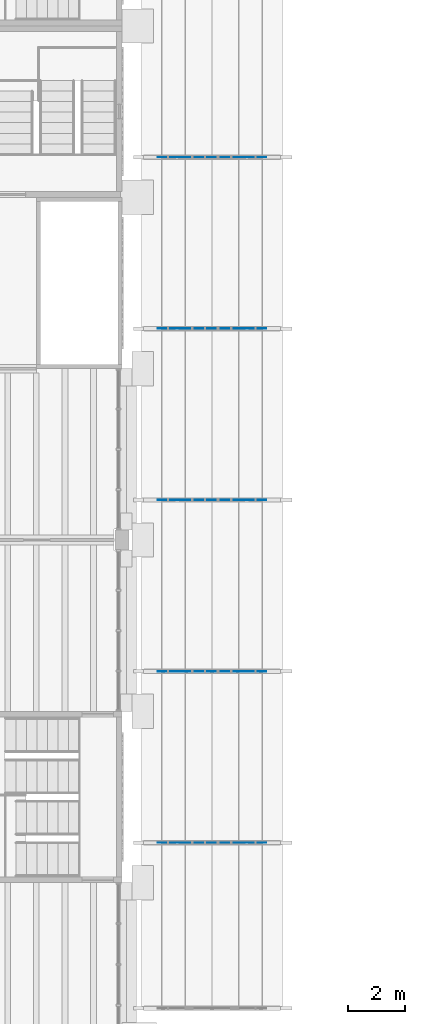
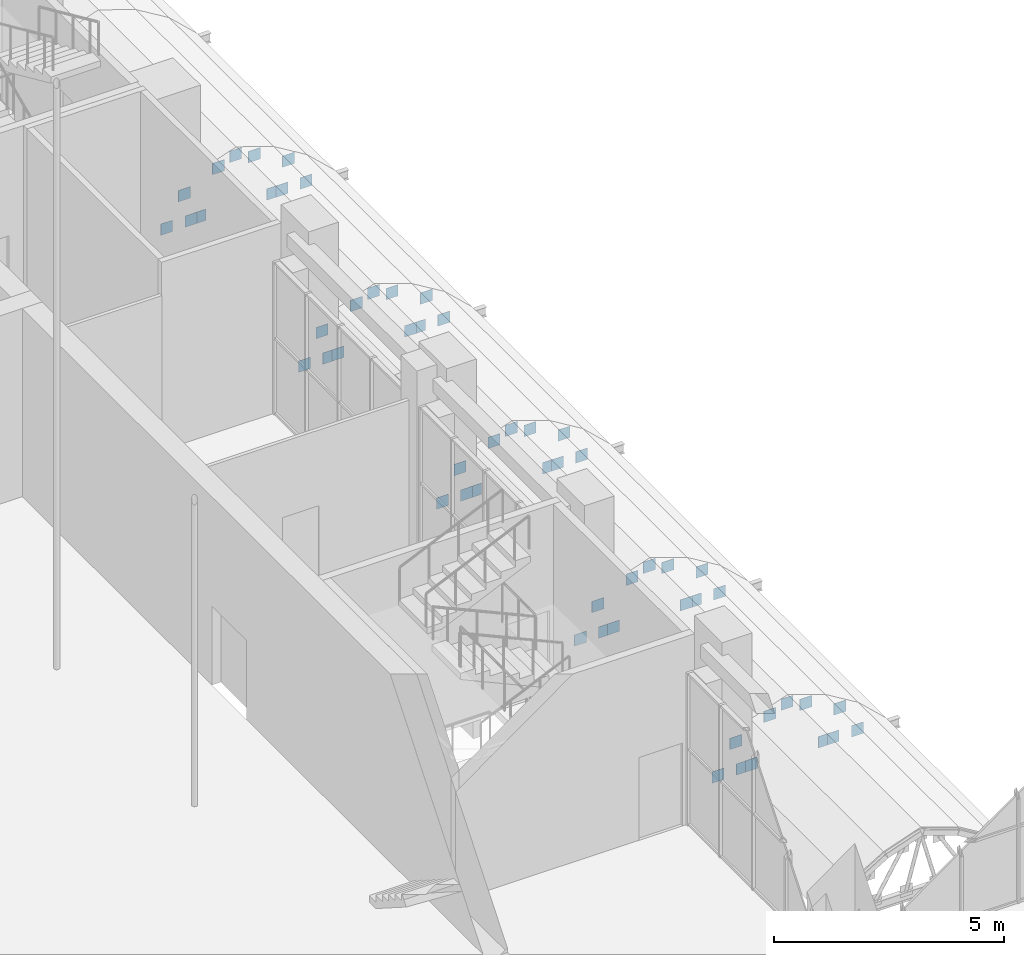
# One storey, part 52 of 80: 55 discrete accessories.
"""IFC4 building model written with IfcOpenShell, lengths in metres."""

import ifcopenshell
import ifcopenshell.guid

model = None  # the IFC model being written
_history = None  # IfcOwnerHistory: only IFC2X3 demands one
_inside = {}  # id of a spatial element -> (the spatial element, [elements in it])
_under = {}  # id of a project, library or spatial element -> (it, [spatial elements below it])
_declared = {}  # id of a project -> (the project, [libraries it declares])
_typed = {}  # id of a type object -> (the type object, [elements of that type])
_made_of = {}  # id of a material, layer set ... -> (it, [elements and type objects made of it])


def new_model(schema):
    """Start an empty IFC model of exactly this schema.

    Asked for "IFC4X3", IfcOpenShell would pick the latest addendum, in which some entities
    have other attributes; the version numbers below select the first issue.
    IFC2X3 requires an IfcOwnerHistory on every rooted entity: one is made here for all.
    """
    global model, _history
    if schema == "IFC4X3":
        model = ifcopenshell.file(schema_version=(4, 3, 0, 0))
    else:
        model = ifcopenshell.file(schema=schema)
    _inside.clear()
    _under.clear()
    _declared.clear()
    _typed.clear()
    _made_of.clear()
    _history = None
    if model.schema == "IFC2X3":
        org = make("IfcOrganization", Name="unknown")
        user = make(
            "IfcPersonAndOrganization",
            ThePerson=make("IfcPerson", FamilyName="unknown"),
            TheOrganization=org,
        )
        app = make(
            "IfcApplication",
            ApplicationDeveloper=org,
            Version="unknown",
            ApplicationFullName="unknown",
            ApplicationIdentifier="unknown",
        )
        _history = make(
            "IfcOwnerHistory",
            OwningUser=user,
            OwningApplication=app,
            ChangeAction="ADDED",
            CreationDate=0,
        )
    return model


def make(cls, **values):
    """One entity of the class cls with the attributes given. An attribute that is None is left unset."""
    return model.create_entity(
        cls, **{name: value for name, value in values.items() if value is not None}
    )


def rooted(cls, **values):
    """An entity with a GlobalId (a new one), such as an element, a storey or a relation."""
    return make(cls, GlobalId=ifcopenshell.guid.new(), OwnerHistory=_history, **values)


def si_unit(unit_type, name, prefix=None):
    """IfcSIUnit, for example si_unit("LENGTHUNIT", "METRE", prefix="MILLI")."""
    return make("IfcSIUnit", UnitType=unit_type, Prefix=prefix, Name=name)


def assignment(units):
    """IfcUnitAssignment: the units of a project."""
    return None if units is None else make("IfcUnitAssignment", Units=units)


def point(xyz):
    """IfcCartesianPoint."""
    return None if xyz is None else make("IfcCartesianPoint", Coordinates=xyz)


def direction(xyz):
    """IfcDirection."""
    return None if xyz is None else make("IfcDirection", DirectionRatios=xyz)


def frame(location, z_axis=None, x_axis=None):
    """IfcAxis2Placement3D, a coordinate frame: its origin and axes. An axis left out is left unset."""
    return make(
        "IfcAxis2Placement3D",
        Location=point(location),
        Axis=direction(z_axis),
        RefDirection=direction(x_axis),
    )


def frame_2d(location, x_axis=None):
    """IfcAxis2Placement2D, a coordinate frame in the plane: its origin and x axis."""
    return make(
        "IfcAxis2Placement2D", Location=point(location), RefDirection=direction(x_axis)
    )


def origin():
    """The frame at (0, 0, 0) with its axes left unset."""
    return frame((0.0, 0.0, 0.0))


def origin_2d():
    """The frame at (0, 0) in the plane with its x axis left unset."""
    return frame_2d((0.0, 0.0))


def place(relative_to, where):
    """IfcLocalPlacement: puts the frame where relative to a parent placement (None: the world)."""
    return make(
        "IfcLocalPlacement", PlacementRelTo=relative_to, RelativePlacement=where
    )


def context(
    kind, dimensions, precision=None, world=None, true_north=None, identifier=None
):
    """IfcGeometricRepresentationContext, for example the 3D "Model" context."""
    return make(
        "IfcGeometricRepresentationContext",
        ContextIdentifier=identifier,
        ContextType=kind,
        CoordinateSpaceDimension=dimensions,
        Precision=precision,
        WorldCoordinateSystem=world,
        TrueNorth=true_north,
    )


def subcontext(parent, identifier, kind, view, scale=None):
    """IfcGeometricRepresentationSubContext, for example "Body" below "Model"."""
    return make(
        "IfcGeometricRepresentationSubContext",
        ContextIdentifier=identifier,
        ContextType=kind,
        ParentContext=parent,
        TargetScale=scale,
        TargetView=view,
    )


def project(units=None, contexts=None):
    """IfcProject with its units and contexts."""
    return rooted(
        "IfcProject",
        Name="project",
        RepresentationContexts=contexts,
        UnitsInContext=assignment(units),
    )


def spatial(cls, under=None, at=None, **own):
    """A site, building, storey or space (cls), placed at a placement, below another one or the project."""
    s = rooted(cls, ObjectPlacement=at, **own)
    if under is not None:
        _under.setdefault(under.id(), (under, []))[1].append(s)
    return s


def profile(cls, at=None, kind="AREA", **sizes):
    """A parametric profile (cls). Its sizes go by their IFC names, for example OverallWidth=200.0."""
    return make(cls, ProfileType=kind, Position=at, **sizes)


def rectangle(**sizes):
    """IfcRectangleProfileDef."""
    return profile("IfcRectangleProfileDef", **sizes)


def extrude(swept, where, along, depth):
    """IfcExtrudedAreaSolid: the profile swept, set in the frame where, extruded along a direction by depth."""
    return make(
        "IfcExtrudedAreaSolid",
        SweptArea=swept,
        Position=where,
        ExtrudedDirection=direction(along),
        Depth=depth,
    )


def shape(context_of_items, identifier, shape_type, items):
    """IfcShapeRepresentation: the items that make up one representation, for example the "Body"."""
    return make(
        "IfcShapeRepresentation",
        ContextOfItems=context_of_items,
        RepresentationIdentifier=identifier,
        RepresentationType=shape_type,
        Items=items,
    )


def material(Name=None, Category=None):
    """IfcMaterial."""
    return make("IfcMaterial", Name=Name, Category=Category)


def material_profile(
    of_material, cross_section, Name=None, Category=None, Priority=None
):
    """IfcMaterialProfile: a cross section and its material."""
    return make(
        "IfcMaterialProfile",
        Name=Name,
        Material=of_material,
        Profile=cross_section,
        Priority=Priority,
        Category=Category,
    )


def profile_set(profiles, Name=None, composite=None):
    """IfcMaterialProfileSet."""
    return make(
        "IfcMaterialProfileSet",
        Name=Name,
        MaterialProfiles=profiles,
        CompositeProfile=composite,
    )


def made_of(thing, what):
    """Note that an element or type object is made of a material, layer set ...; save() writes the relation."""
    if what is not None:
        _made_of.setdefault(what.id(), (what, []))[1].append(thing)
    return thing


def type_object(cls, material=None, **own):
    """A type object (cls), such as IfcWallType, which elements share."""
    return made_of(rooted(cls, **own), material)


def element(
    cls,
    number,
    at=None,
    inside=None,
    cuts=None,
    type_object=None,
    material=None,
    context=None,
    identifier="Body",
    shape_type=None,
    held_by="IfcProductDefinitionShape",
    body=None,
    shapes=None,
    **own,
):
    """One element of the class cls, such as IfcWall. Its Tag is "e" and its number.

    at: its placement. inside: the storey or other place that contains it. cuts: it is an
    opening in that element (IfcRelVoidsElement). A single representation is given by context,
    identifier, shape_type and body (its items); several are given by shapes. held_by: the class
    of the entity that holds the representations. save() writes the other relations.
    """
    e = rooted(cls, Tag="e%d" % number, ObjectPlacement=at, **own)
    if body is not None:
        shapes = [shape(context, identifier, shape_type, body)]
    if shapes is not None:
        e.Representation = make(held_by, Representations=shapes)
    if inside is not None:
        _inside.setdefault(inside.id(), (inside, []))[1].append(e)
    if cuts is not None:
        rooted(
            "IfcRelVoidsElement", RelatingBuildingElement=cuts, RelatedOpeningElement=e
        )
    if type_object is not None:
        _typed.setdefault(type_object.id(), (type_object, []))[1].append(e)
    return made_of(e, material)


def aggregate(whole, parts):
    """IfcRelAggregates: a whole, such as a stair, and the parts it consists of."""
    return rooted("IfcRelAggregates", RelatingObject=whole, RelatedObjects=parts)


def save(model, path):
    """Write the relations noted so far, then the file.

    IfcRelAggregates (storeys below a building ...), IfcRelContainedInSpatialStructure (elements
    in a storey), IfcRelDefinesByType, IfcRelAssociatesMaterial and IfcRelDeclares: one each for
    every whole, place, type object, material and project.
    """
    for whole, parts in _under.values():
        aggregate(whole, parts)
    for where, things in _inside.values():
        rooted(
            "IfcRelContainedInSpatialStructure",
            RelatedElements=things,
            RelatingStructure=where,
        )
    for kind, things in _typed.values():
        rooted("IfcRelDefinesByType", RelatedObjects=things, RelatingType=kind)
    for what, things in _made_of.values():
        rooted("IfcRelAssociatesMaterial", RelatedObjects=things, RelatingMaterial=what)
    for by, libraries in _declared.values():
        rooted("IfcRelDeclares", RelatingContext=by, RelatedDefinitions=libraries)
    model.write(path)


model = new_model("IFC4")

# Units and contexts
model_context = context("Model", 3, precision=1e-05, world=origin(), true_north=direction((0.0, 1.0)))
body_context = subcontext(model_context, "Body", "Model", "MODEL_VIEW")
ifc_project = project(units=[si_unit("LENGTHUNIT", "METRE"), si_unit("AREAUNIT", "SQUARE_METRE"), si_unit("VOLUMEUNIT", "CUBIC_METRE"), si_unit("PLANEANGLEUNIT", "RADIAN"), si_unit("MASSUNIT", "GRAM", prefix="KILO")], contexts=[model_context])

# Site, building, storey
site_placement = place(None, origin())
site = spatial("IfcSite", under=ifc_project, at=site_placement, CompositionType="ELEMENT")
building_placement = place(site_placement, origin())
building = spatial("IfcBuilding", under=site, at=building_placement, Name="Saffron Lane Theatres", CompositionType="ELEMENT")
storey_placement = place(building_placement, frame((0.0, 0.0, 7.0)))
storey = spatial("IfcBuildingStorey", under=building, at=storey_placement, Name="L01", CompositionType="ELEMENT", Elevation=7.0)

# Discrete accessories
ifc_material = material(Name="Steel Grade 350", Category="steel")
ifc_material_profile = material_profile(ifc_material, rectangle(XDim=0.300048828125, YDim=0.300048828125, at=origin_2d()))
ifc_profile_set = profile_set([ifc_material_profile], Name="Steel Grade 350")
discrete_accessory_type = type_object("IfcDiscreteAccessoryType", Name="ST-GUSSET CONNECTION PLATE", PredefinedType="BRACKET", material=ifc_profile_set)
for number, where, z_axis, x_axis, name in (
    (1, (55.400390625, 37.39501953125, -0.107177734375), (0.0, 1.0, 0.0), (-1.0, 0.0, 0.0), "GB585"),
    (2, (55.84228515625, 37.39501953125, 0.6298828125), (0.0, 1.0, 0.0), (-1.0, 0.0, 0.0), "GB586"),
    (3, (56.009033203125, 37.39501953125, -0.107177734375), (0.0, 1.0, 0.0), (-1.0, 0.0, 0.0), "GB587"),
    (4, (56.69873046875, 37.39501953125, 1.049560546875), (0.0, 1.0, 0.0), (-1.0, 0.0, 0.0), "GB588"),
    (5, (58.291015625, 37.39501953125, -0.107177734375), (0.0, 1.0, 0.0), (-1.0, 0.0, 0.0), "GB589"),
    (6, (57.60107421875, 37.39501953125, 1.049560546875), (0.0, 1.0, 0.0), (-1.0, 0.0, 0.0), "GB590"),
    (7, (58.899658203125, 37.39501953125, -0.107177734375), (0.0, 1.0, 0.0), (-1.0, 0.0, 0.0), "GB591"),
    (8, (58.457763671875, 37.39501953125, 0.6298828125), (0.0, 1.0, 0.0), (-1.0, 0.0, 0.0), "GB592"),
    (9, (55.400390625, 43.39501953125, -0.107177734375), (0.0, 1.0, 0.0), (-1.0, 0.0, 0.0), "GB593"),
    (10, (55.84228515625, 43.39501953125, 0.6298828125), (0.0, 1.0, 0.0), (-1.0, 0.0, 0.0), "GB594"),
    (11, (56.009033203125, 43.39501953125, -0.107177734375), (0.0, 1.0, 0.0), (-1.0, 0.0, 0.0), "GB595"),
    (12, (56.69873046875, 43.39501953125, 1.049560546875), (0.0, 1.0, 0.0), (-1.0, 0.0, 0.0), "GB596"),
    (13, (58.291015625, 43.39501953125, -0.107177734375), (0.0, 1.0, 0.0), (-1.0, 0.0, 0.0), "GB597"),
    (14, (57.60107421875, 43.39501953125, 1.049560546875), (0.0, 1.0, 0.0), (-1.0, 0.0, 0.0), "GB598"),
    (15, (58.899658203125, 43.39501953125, -0.107177734375), (0.0, 1.0, 0.0), (-1.0, 0.0, 0.0), "GB599"),
    (16, (58.457763671875, 43.39501953125, 0.6298828125), (0.0, 1.0, 0.0), (-1.0, 0.0, 0.0), "GB600"),
    (17, (55.400390625, 49.39501953125, -0.107177734375), (0.0, 1.0, 0.0), (-1.0, 0.0, 0.0), "GB601"),
    (18, (55.84228515625, 49.39501953125, 0.6298828125), (0.0, 1.0, 0.0), (-1.0, 0.0, 0.0), "GB602"),
    (19, (56.009033203125, 49.39501953125, -0.107177734375), (0.0, 1.0, 0.0), (-1.0, 0.0, 0.0), "GB603"),
    (20, (56.69873046875, 49.39501953125, 1.049560546875), (0.0, 1.0, 0.0), (-1.0, 0.0, 0.0), "GB604"),
    (21, (58.291015625, 49.39501953125, -0.107177734375), (0.0, 1.0, 0.0), (-1.0, 0.0, 0.0), "GB605"),
    (22, (57.60107421875, 49.39501953125, 1.049560546875), (0.0, 1.0, 0.0), (-1.0, 0.0, 0.0), "GB606"),
    (23, (58.899658203125, 49.39501953125, -0.107177734375), (0.0, 1.0, 0.0), (-1.0, 0.0, 0.0), "GB607"),
    (24, (58.457763671875, 49.39501953125, 0.6298828125), (0.0, 1.0, 0.0), (-1.0, 0.0, 0.0), "GB608"),
    (25, (55.400390625, 55.39501953125, -0.107177734375), (0.0, 1.0, 0.0), (-1.0, 0.0, 0.0), "GB609"),
    (26, (55.84228515625, 55.39501953125, 0.6298828125), (0.0, 1.0, 0.0), (-1.0, 0.0, 0.0), "GB610"),
    (27, (56.009033203125, 55.39501953125, -0.107177734375), (0.0, 1.0, 0.0), (-1.0, 0.0, 0.0), "GB611"),
    (28, (56.69873046875, 55.39501953125, 1.049560546875), (0.0, 1.0, 0.0), (-1.0, 0.0, 0.0), "GB612"),
    (29, (58.291015625, 55.39501953125, -0.107177734375), (0.0, 1.0, 0.0), (-1.0, 0.0, 0.0), "GB613"),
    (30, (57.60107421875, 55.39501953125, 1.049560546875), (0.0, 1.0, 0.0), (-1.0, 0.0, 0.0), "GB614"),
    (31, (58.899658203125, 55.39501953125, -0.107177734375), (0.0, 1.0, 0.0), (-1.0, 0.0, 0.0), "GB615"),
    (32, (58.457763671875, 55.39501953125, 0.6298828125), (0.0, 1.0, 0.0), (-1.0, 0.0, 0.0), "GB616"),
    (33, (55.400390625, 61.39501953125, -0.107177734375), (0.0, 1.0, 0.0), (-1.0, 0.0, 0.0), "GB617"),
    (34, (55.84228515625, 61.39501953125, 0.6298828125), (0.0, 1.0, 0.0), (-1.0, 0.0, 0.0), "GB618"),
    (35, (56.009033203125, 61.39501953125, -0.107177734375), (0.0, 1.0, 0.0), (-1.0, 0.0, 0.0), "GB619"),
    (36, (56.69873046875, 61.39501953125, 1.049560546875), (0.0, 1.0, 0.0), (-1.0, 0.0, 0.0), "GB620"),
    (37, (58.291015625, 61.39501953125, -0.107177734375), (0.0, 1.0, 0.0), (-1.0, 0.0, 0.0), "GB621"),
    (38, (57.60107421875, 61.39501953125, 1.049560546875), (0.0, 1.0, 0.0), (-1.0, 0.0, 0.0), "GB622"),
    (39, (58.899658203125, 61.39501953125, -0.107177734375), (0.0, 1.0, 0.0), (-1.0, 0.0, 0.0), "GB623"),
    (40, (58.457763671875, 61.39501953125, 0.6298828125), (0.0, 1.0, 0.0), (-1.0, 0.0, 0.0), "GB624"),
    (41, (56.234619140625, 37.39501953125, -0.10498046875), (0.0, 1.0, 0.0), (-1.0, 0.0, 0.0), "GB676"),
    (42, (57.133056640625, 37.39501953125, 1.219970703125), (0.0, 1.0, 0.0), (-1.0, 0.0, 0.0), "GB677"),
    (43, (58.065185546875, 37.39501953125, -0.10498046875), (0.0, 1.0, 0.0), (-1.0, 0.0, 0.0), "GB678"),
    (44, (56.234619140625, 43.39501953125, -0.10498046875), (0.0, 1.0, 0.0), (-1.0, 0.0, 0.0), "GB679"),
    (45, (57.133056640625, 43.39501953125, 1.219970703125), (0.0, 1.0, 0.0), (-1.0, 0.0, 0.0), "GB680"),
    (46, (58.065185546875, 43.39501953125, -0.10498046875), (0.0, 1.0, 0.0), (-1.0, 0.0, 0.0), "GB681"),
    (47, (56.234619140625, 49.39501953125, -0.10498046875), (0.0, 1.0, 0.0), (-1.0, 0.0, 0.0), "GB682"),
    (48, (57.133056640625, 49.39501953125, 1.219970703125), (0.0, 1.0, 0.0), (-1.0, 0.0, 0.0), "GB683"),
    (49, (58.065185546875, 49.39501953125, -0.10498046875), (0.0, 1.0, 0.0), (-1.0, 0.0, 0.0), "GB684"),
    (50, (56.234619140625, 55.39501953125, -0.10498046875), (0.0, 1.0, 0.0), (-1.0, 0.0, 0.0), "GB685"),
    (51, (57.133056640625, 55.39501953125, 1.219970703125), (0.0, 1.0, 0.0), (-1.0, 0.0, 0.0), "GB686"),
    (52, (58.065185546875, 55.39501953125, -0.10498046875), (0.0, 1.0, 0.0), (-1.0, 0.0, 0.0), "GB687"),
    (53, (56.234619140625, 61.39501953125, -0.10498046875), (0.0, 1.0, 0.0), (-1.0, 0.0, 0.0), "GB688"),
    (54, (57.133056640625, 61.39501953125, 1.219970703125), (0.0, 1.0, 0.0), (-1.0, 0.0, 0.0), "GB689"),
    (55, (58.065185546875, 61.39501953125, -0.10498046875), (0.0, 1.0, 0.0), (-1.0, 0.0, 0.0), "GB690"),
):
    element("IfcDiscreteAccessory", number, at=place(storey_placement, frame(where, z_axis=z_axis, x_axis=x_axis)), inside=storey, type_object=discrete_accessory_type, Name=name, PredefinedType="BRACKET", context=body_context, shape_type="SweptSolid", body=[
        extrude(rectangle(XDim=0.300048828125, YDim=0.300048828125, at=origin_2d()), origin(), (0.0, 0.0, 1.0), 0.010009765625),
    ])

save(model, "model.ifc")
